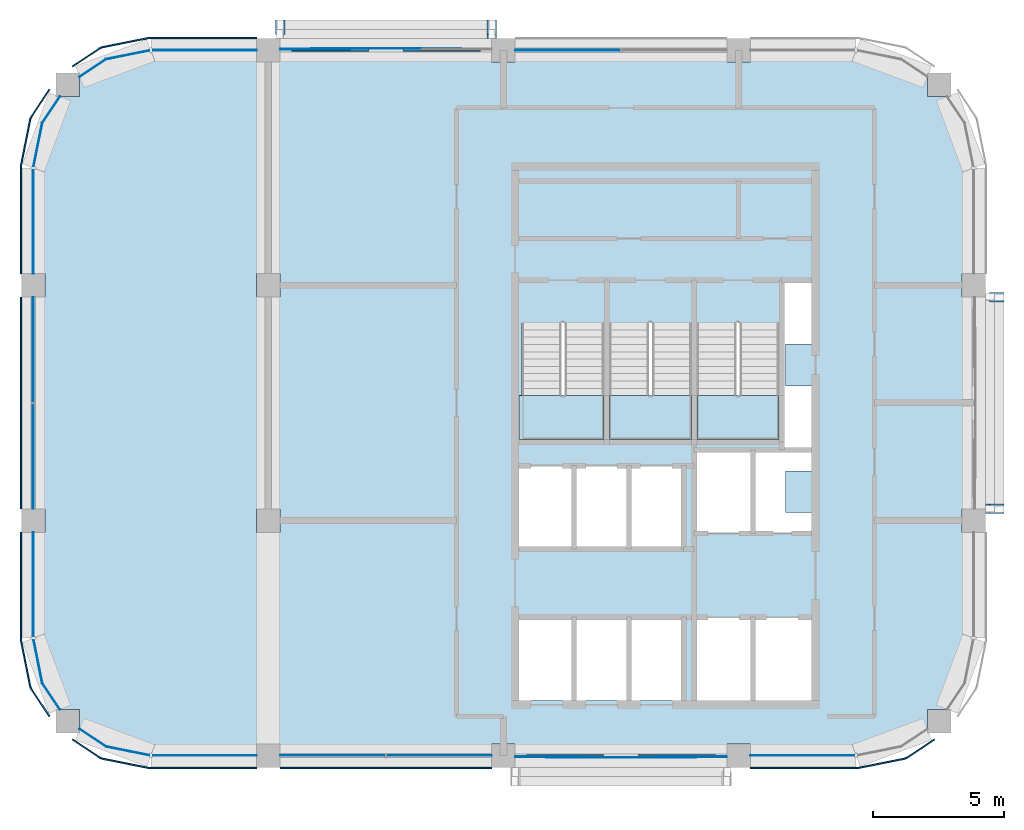
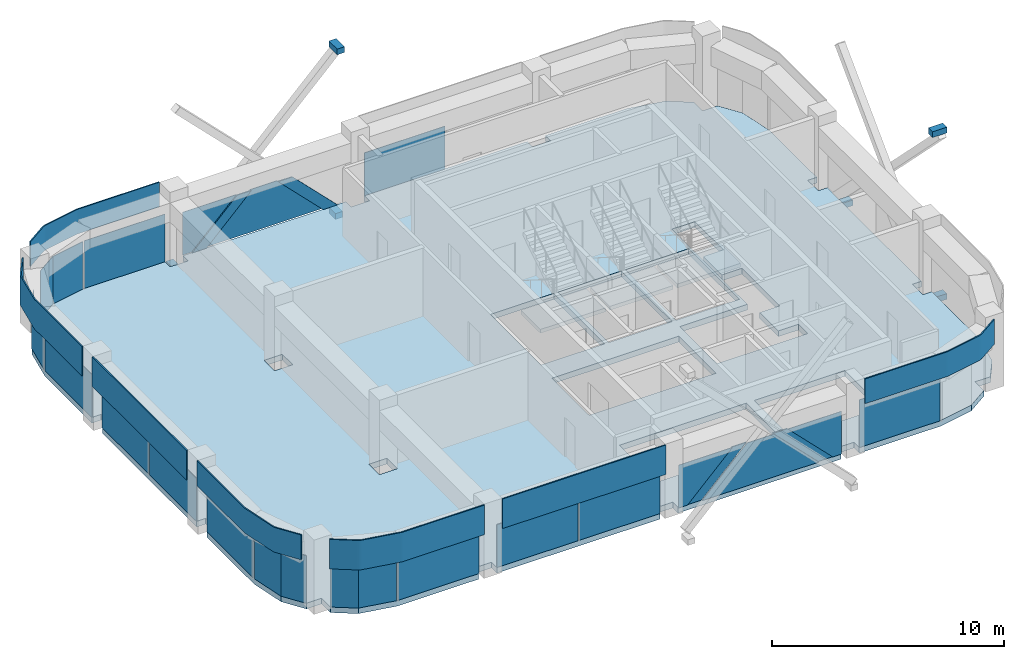
# One storey, part 5 of 9: 30 plates, 6 members, 4 slabs, 13 elements without a shape of their own.
"""IFC4 building model written with IfcOpenShell, lengths in metres."""

from ifc_helpers import new_model, si_unit, direction, frame, origin, origin_2d, place, context, subcontext, project, spatial, polyline, rectangle, outline, extrude, material, layer, layer_set, type_object, element, aggregate, save


model = new_model("IFC4")

# Units and contexts
model_context = context("Model", 3, precision=1e-05, world=origin(), true_north=direction((0.0, 1.0)))
body_context = subcontext(model_context, "Body", "Model", "MODEL_VIEW")
ifc_project = project(units=[si_unit("LENGTHUNIT", "METRE"), si_unit("AREAUNIT", "SQUARE_METRE"), si_unit("VOLUMEUNIT", "CUBIC_METRE"), si_unit("PLANEANGLEUNIT", "RADIAN"), si_unit("MASSUNIT", "GRAM", prefix="KILO")], contexts=[model_context])

# Site, building, storey
site_placement = place(None, origin())
site = spatial("IfcSite", under=ifc_project, at=site_placement, CompositionType="ELEMENT")
building_placement = place(site_placement, origin())
building = spatial("IfcBuilding", under=site, at=building_placement, Name="Tessera Arch", CompositionType="ELEMENT")
storey_placement = place(building_placement, frame((0.0, 0.0, 316.800048828125)))
storey = spatial("IfcBuildingStorey", under=building, at=storey_placement, Name="L76", CompositionType="ELEMENT", Elevation=316.800048828125)

# Members
ifc_material_1 = material(Name="Steel A572 Gr50", Category="steel")
ifc_layer_1 = layer(ifc_material_1, 0.050048828125)
ifc_layer_set_1 = layer_set([ifc_layer_1], Name="Node block Steel A572 Gr50")
member_type = type_object("IfcMemberType", Name="Node block Steel A572 Gr50", PredefinedType="PLATE", material=ifc_layer_set_1)
for number, where, z_axis, x_axis, name in (
    (1, (54.880615234375, 44.550048828125, -1.2431640625), (0.0, 0.0, 1.0), (0.0, 1.0, 0.0), "Node block seat E54.27-0 1 L76"),
    (2, (54.880615234375, 36.449951171875, -1.2431640625), (0.0, 0.0, 1.0), (0.0, 1.0, 0.0), "Node block seat E54.27-0 2 L76"),
):
    element("IfcMember", number, at=place(storey_placement, frame(where, z_axis=z_axis, x_axis=x_axis)), inside=storey, type_object=member_type, Name=name, PredefinedType="PLATE", context=body_context, shape_type="SweptSolid", body=[
        extrude(rectangle(XDim=0.355712890625, YDim=0.561279296875, at=origin_2d()), origin(), (0.0, 0.0, 1.0), 0.300048828125),
    ])
member_1_placement = place(storey_placement, frame((54.8056640625, 36.449951171875, 7.4931640625), z_axis=(0.0, 0.0, 1.0), x_axis=(0.0, 1.0, 0.0)))
element("IfcMember", 3, at=member_1_placement, inside=storey, type_object=member_type, Name="Node block head E54.27-0 B L76", PredefinedType="PLATE", context=body_context, shape_type="SweptSolid", body=[
    extrude(rectangle(XDim=0.355712890625, YDim=0.711181640625, at=origin_2d()), origin(), (0.0, 0.0, 1.0), 0.300048828125),
])
for number, where, z_axis, x_axis, name in (
    (4, (27.449951171875, 54.880615234375, -1.2431640625), (0.0, 0.0, 1.0), (-1.0, 0.0, 0.0), "Node block seat N54.18-2 1 L76"),
    (5, (35.550048828125, 54.880615234375, -1.2431640625), (0.0, 0.0, 1.0), (-1.0, 0.0, 0.0), "Node block seat N54.18-2 2 L76"),
):
    element("IfcMember", number, at=place(storey_placement, frame(where, z_axis=z_axis, x_axis=x_axis)), inside=storey, type_object=member_type, Name=name, PredefinedType="PLATE", context=body_context, shape_type="SweptSolid", body=[
        extrude(rectangle(XDim=0.355712890625, YDim=0.561279296875, at=origin_2d()), origin(), (0.0, 0.0, 1.0), 0.300048828125),
    ])
member_2_placement = place(storey_placement, frame((35.550048828125, 54.8056640625, 7.4931640625), z_axis=(0.0, 0.0, 1.0), x_axis=(-1.0, 0.0, 0.0)))
element("IfcMember", 6, at=member_2_placement, inside=storey, type_object=member_type, Name="Node block head N54.18-2 B L76", PredefinedType="PLATE", context=body_context, shape_type="SweptSolid", body=[
    extrude(rectangle(XDim=0.355712890625, YDim=0.711181640625, at=origin_2d()), origin(), (0.0, 0.0, 1.0), 0.300048828125),
])

# Curtain wall, plate
ifc_material_2 = material(Name="CW1 curtain wall")
curtain_wall_type_1 = type_object("IfcCurtainWallType", Name="CW1 curtain wall", PredefinedType="NOTDEFINED", material=ifc_material_2)
curtain_wall_1_placement = place(storey_placement, origin())
curtain_wall_1 = element("IfcCurtainWall", 7, at=curtain_wall_1_placement, inside=storey, type_object=curtain_wall_type_1, Name="CW1 curtain wall N54.18/1 L76", PredefinedType="NOTDEFINED")
ifc_material_3 = material(Name="Clear low-e glass", Category="glass")
ifc_material_4 = material(Name="Clear low-e glass", Category="glass")
ifc_layer_2 = layer(ifc_material_4, 0.028076171875)
ifc_layer_set_2 = layer_set([ifc_layer_2], Name="CW1 glass panel")
plate_type_1 = type_object("IfcPlateType", Name="CW1 glass panel", PredefinedType="CURTAIN_PANEL", material=ifc_layer_set_2)
plate_1_placement = place(storey_placement, frame((38.4599609375, 54.0, 0.0), z_axis=(0.0, 0.0, 1.0), x_axis=(-1.0, 0.0, 0.0)))
plate_1 = element("IfcPlate", 8, at=plate_1_placement, type_object=plate_type_1, material=ifc_material_3, Name="CW1 glass panel N54.18/1 1.2.1", PredefinedType="CURTAIN_PANEL", context=body_context, shape_type="SweptSolid", body=[
    extrude(rectangle(XDim=4.02001953125, YDim=0.028076171875, at=origin_2d()), origin(), (0.0, 0.0, 1.0), 2.25),
])
aggregate(curtain_wall_1, [plate_1])

# Curtain wall, plates
curtain_wall_2_placement = place(storey_placement, origin())
curtain_wall_2 = element("IfcCurtainWall", 9, at=curtain_wall_2_placement, inside=storey, type_object=curtain_wall_type_1, Name="CW1 curtain wall W18.27/1 L76", PredefinedType="NOTDEFINED")
plate_2_placement = place(storey_placement, frame((18.0, 42.5400390625, 0.0), z_axis=(0.0, 0.0, 1.0), x_axis=(0.0, -1.0, 0.0)))
plate_2 = element("IfcPlate", 10, at=plate_2_placement, type_object=plate_type_1, material=ifc_material_3, Name="CW1 glass panel W18.27/1 1.1.1", PredefinedType="CURTAIN_PANEL", context=body_context, shape_type="SweptSolid", body=[
    extrude(rectangle(XDim=4.02001953125, YDim=0.028076171875, at=origin_2d()), origin(), (0.0, 0.0, 1.0), 2.25),
])
plate_3_placement = place(storey_placement, frame((18.0, 38.4599609375, 0.0), z_axis=(0.0, 0.0, 1.0), x_axis=(0.0, -1.0, 0.0)))
plate_3 = element("IfcPlate", 11, at=plate_3_placement, type_object=plate_type_1, material=ifc_material_3, Name="CW1 glass panel W18.27/1 1.2.1", PredefinedType="CURTAIN_PANEL", context=body_context, shape_type="SweptSolid", body=[
    extrude(rectangle(XDim=4.02001953125, YDim=0.028076171875, at=origin_2d()), origin(), (0.0, 0.0, 1.0), 2.25),
])

curtain_wall_3_placement = place(storey_placement, origin())
curtain_wall_3 = element("IfcCurtainWall", 12, at=curtain_wall_3_placement, inside=storey, type_object=curtain_wall_type_1, Name="CW1 curtain wall S27.18/1 L76", PredefinedType="NOTDEFINED")
plate_4_placement = place(storey_placement, frame((29.4599609375, 27.0, 0.0), z_axis=(0.0, 0.0, 1.0), x_axis=(1.0, 0.0, 0.0)))
plate_4 = element("IfcPlate", 13, at=plate_4_placement, type_object=plate_type_1, material=ifc_material_3, Name="CW1 glass panel S27.18/1 1.1.1", PredefinedType="CURTAIN_PANEL", context=body_context, shape_type="SweptSolid", body=[
    extrude(rectangle(XDim=4.02001953125, YDim=0.028076171875, at=origin_2d()), origin(), (0.0, 0.0, 1.0), 2.25),
])
plate_5_placement = place(storey_placement, frame((33.5400390625, 27.0, 0.0), z_axis=(0.0, 0.0, 1.0), x_axis=(1.0, 0.0, 0.0)))
plate_5 = element("IfcPlate", 14, at=plate_5_placement, type_object=plate_type_1, material=ifc_material_3, Name="CW1 glass panel S27.18/1 1.2.1", PredefinedType="CURTAIN_PANEL", context=body_context, shape_type="SweptSolid", body=[
    extrude(rectangle(XDim=4.02001953125, YDim=0.028076171875, at=origin_2d()), origin(), (0.0, 0.0, 1.0), 2.25),
])

# Plate
ifc_material_5 = material(Name="Pale anodised aluminium panel", Category="aluminium")
ifc_layer_3 = layer(ifc_material_5, 0.06005859375)
ifc_layer_set_3 = layer_set([ifc_layer_3], Name="CW1 spandrel panel")
plate_type_2 = type_object("IfcPlateType", Name="CW1 spandrel panel", PredefinedType="CURTAIN_PANEL", material=ifc_layer_set_3)
plate_6_placement = place(storey_placement, frame((17.52001953125, 40.5, 2.35009765625), z_axis=(0.0, 0.0, 1.0), x_axis=(0.0, -1.0, 0.0)))
plate_6 = element("IfcPlate", 15, at=plate_6_placement, type_object=plate_type_2, Name="CW1 spandrel panel W18.27/1", PredefinedType="CURTAIN_PANEL", context=body_context, shape_type="SweptSolid", body=[
    extrude(rectangle(XDim=8.10009765625, YDim=0.06005859375, at=origin_2d()), origin(), (0.0, 0.0, 1.0), 1.550048828125),
])

aggregate(curtain_wall_2, [plate_2, plate_3, plate_6])

plate_7_placement = place(storey_placement, frame((31.5, 26.52001953125, 2.35009765625), z_axis=(0.0, 0.0, 1.0), x_axis=(1.0, 0.0, 0.0)))
plate_7 = element("IfcPlate", 16, at=plate_7_placement, type_object=plate_type_2, Name="CW1 spandrel panel S27.18/1", PredefinedType="CURTAIN_PANEL", context=body_context, shape_type="SweptSolid", body=[
    extrude(rectangle(XDim=8.10009765625, YDim=0.06005859375, at=origin_2d()), origin(), (0.0, 0.0, 1.0), 1.550048828125),
])

aggregate(curtain_wall_3, [plate_4, plate_5, plate_7])

# Curtain wall, plates
ifc_material_6 = material(Name="CW2 curtain wall")
curtain_wall_type_2 = type_object("IfcCurtainWallType", Name="CW2 curtain wall", PredefinedType="NOTDEFINED", material=ifc_material_6)
curtain_wall_4_placement = place(storey_placement, origin())
curtain_wall_4 = element("IfcCurtainWall", 17, at=curtain_wall_4_placement, inside=storey, type_object=curtain_wall_type_2, Name="CW2 curtain wall N54.18/3 L76", PredefinedType="NOTDEFINED")
ifc_material_7 = material(Name="Clear low-e glass", Category="glass")
ifc_layer_4 = layer(ifc_material_7, 0.028076171875)
ifc_layer_set_4 = layer_set([ifc_layer_4], Name="CW2 glass panel")
plate_type_3 = type_object("IfcPlateType", Name="CW2 glass panel", PredefinedType="CURTAIN_PANEL", material=ifc_layer_set_4)
plate_8_placement = place(storey_placement, frame((24.544921875, 54.0, 0.0), z_axis=(0.0, 0.0, 1.0), x_axis=(-1.0, 0.0, 0.0)))
plate_8 = element("IfcPlate", 18, at=plate_8_placement, type_object=plate_type_3, material=ifc_material_3, Name="CW2 glass panel N54.18/3 1.1", PredefinedType="CURTAIN_PANEL", context=body_context, shape_type="SweptSolid", body=[
    extrude(rectangle(XDim=4.010009765625, YDim=0.028076171875, at=origin_2d()), origin(), (0.0, 0.0, 1.0), 2.5),
])
plate_9_placement = place(storey_placement, origin())
plate_9 = element("IfcPlate", 19, at=plate_9_placement, type_object=plate_type_3, material=ifc_material_3, Name="CW2 curved glass panel N54.18/3 2.1", PredefinedType="CURTAIN_PANEL", context=body_context, shape_type="SweptSolid", body=[
    extrude(outline(polyline([(20.783447265625, 53.644287109375), (22.46337890625, 53.978515625), (22.4580078125, 54.005859375), (20.7724609375, 53.670654296875), (19.76025390625, 52.994384765625), (19.77587890625, 52.970947265625), (20.783447265625, 53.644287109375)])), origin(), (0.0, 0.0, 1.0), 2.5),
])

curtain_wall_5_placement = place(storey_placement, origin())
curtain_wall_5 = element("IfcCurtainWall", 20, at=curtain_wall_5_placement, inside=storey, type_object=curtain_wall_type_2, Name="CW2 curtain wall W18.27/0 L76", PredefinedType="NOTDEFINED")
plate_10_placement = place(storey_placement, frame((18.0, 47.455078125, 0.0), z_axis=(0.0, 0.0, 1.0), x_axis=(0.0, -1.0, 0.0)))
plate_10 = element("IfcPlate", 21, at=plate_10_placement, type_object=plate_type_3, material=ifc_material_3, Name="CW2 glass panel W18.27/0 1.1", PredefinedType="CURTAIN_PANEL", context=body_context, shape_type="SweptSolid", body=[
    extrude(rectangle(XDim=4.010009765625, YDim=0.028076171875, at=origin_2d()), origin(), (0.0, 0.0, 1.0), 2.25),
])
plate_11_placement = place(storey_placement, origin())
plate_11 = element("IfcPlate", 22, at=plate_11_placement, type_object=plate_type_3, material=ifc_material_3, Name="CW2 curved glass panel W18.27/0 2.1", PredefinedType="CURTAIN_PANEL", context=body_context, shape_type="SweptSolid", body=[
    extrude(outline(polyline([(18.355712890625, 51.216552734375), (19.029052734375, 52.22412109375), (19.005615234375, 52.23974609375), (18.329345703125, 51.2275390625), (17.994140625, 49.5419921875), (18.021484375, 49.53662109375), (18.355712890625, 51.216552734375)])), origin(), (0.0, 0.0, 1.0), 2.25),
])

curtain_wall_6_placement = place(storey_placement, origin())
curtain_wall_6 = element("IfcCurtainWall", 23, at=curtain_wall_6_placement, inside=storey, type_object=curtain_wall_type_2, Name="CW2 curtain wall W18.27/2 L76", PredefinedType="NOTDEFINED")
plate_12_placement = place(storey_placement, frame((18.0, 33.544921875, 0.0), z_axis=(0.0, 0.0, 1.0), x_axis=(0.0, -1.0, 0.0)))
plate_12 = element("IfcPlate", 24, at=plate_12_placement, type_object=plate_type_3, material=ifc_material_3, Name="CW2 glass panel W18.27/2 1.1", PredefinedType="CURTAIN_PANEL", context=body_context, shape_type="SweptSolid", body=[
    extrude(rectangle(XDim=4.010009765625, YDim=0.028076171875, at=origin_2d()), origin(), (0.0, 0.0, 1.0), 2.5),
])
plate_13_placement = place(storey_placement, origin())
plate_13 = element("IfcPlate", 25, at=plate_13_placement, type_object=plate_type_3, material=ifc_material_3, Name="CW2 curved glass panel W18.27/2 2.1", PredefinedType="CURTAIN_PANEL", context=body_context, shape_type="SweptSolid", body=[
    extrude(outline(polyline([(18.355712890625, 29.783447265625), (18.021484375, 31.46337890625), (17.994140625, 31.4580078125), (18.329345703125, 29.7724609375), (19.005615234375, 28.76025390625), (19.029052734375, 28.77587890625), (18.355712890625, 29.783447265625)])), origin(), (0.0, 0.0, 1.0), 2.5),
])

curtain_wall_7_placement = place(storey_placement, origin())
curtain_wall_7 = element("IfcCurtainWall", 26, at=curtain_wall_7_placement, inside=storey, type_object=curtain_wall_type_2, Name="CW2 curtain wall S27.18/0 L76", PredefinedType="NOTDEFINED")
plate_14_placement = place(storey_placement, frame((24.544921875, 27.0, 0.0), z_axis=(0.0, 0.0, 1.0), x_axis=(1.0, 0.0, 0.0)))
plate_14 = element("IfcPlate", 27, at=plate_14_placement, type_object=plate_type_3, material=ifc_material_3, Name="CW2 glass panel S27.18/0 1.1", PredefinedType="CURTAIN_PANEL", context=body_context, shape_type="SweptSolid", body=[
    extrude(rectangle(XDim=4.010009765625, YDim=0.028076171875, at=origin_2d()), origin(), (0.0, 0.0, 1.0), 2.25),
])
plate_15_placement = place(storey_placement, origin())
plate_15 = element("IfcPlate", 28, at=plate_15_placement, type_object=plate_type_3, material=ifc_material_3, Name="CW2 curved glass panel S27.18/0 2.1", PredefinedType="CURTAIN_PANEL", context=body_context, shape_type="SweptSolid", body=[
    extrude(outline(polyline([(20.783447265625, 27.355712890625), (19.77587890625, 28.029052734375), (19.76025390625, 28.005615234375), (20.7724609375, 27.329345703125), (22.4580078125, 26.994140625), (22.46337890625, 27.021484375), (20.783447265625, 27.355712890625)])), origin(), (0.0, 0.0, 1.0), 2.25),
])

# Curtain wall, plate
curtain_wall_8_placement = place(storey_placement, origin())
curtain_wall_8 = element("IfcCurtainWall", 29, at=curtain_wall_8_placement, inside=storey, type_object=curtain_wall_type_2, Name="CW2 curtain wall S27.18/3 L76", PredefinedType="NOTDEFINED")
plate_16_placement = place(storey_placement, frame((47.455078125, 27.0, 0.0), z_axis=(0.0, 0.0, 1.0), x_axis=(1.0, 0.0, 0.0)))
plate_16 = element("IfcPlate", 30, at=plate_16_placement, type_object=plate_type_3, material=ifc_material_3, Name="CW2 glass panel S27.18/3 1.1", PredefinedType="CURTAIN_PANEL", context=body_context, shape_type="SweptSolid", body=[
    extrude(rectangle(XDim=4.010009765625, YDim=0.028076171875, at=origin_2d()), origin(), (0.0, 0.0, 1.0), 2.5),
])

# Plate
ifc_material_8 = material(Name="Pale anodised aluminium panel", Category="aluminium")
ifc_layer_5 = layer(ifc_material_8, 0.06005859375)
ifc_layer_set_5 = layer_set([ifc_layer_5], Name="CW2 spandrel panel")
plate_type_4 = type_object("IfcPlateType", Name="CW2 spandrel panel", PredefinedType="CURTAIN_PANEL", material=ifc_layer_set_5)
plate_17_placement = place(storey_placement, frame((0.0, 0.0, 2.599853515625)))
plate_17 = element("IfcPlate", 31, at=plate_17_placement, type_object=plate_type_4, Name="CW2 spandrel panel N54.18/3", PredefinedType="CURTAIN_PANEL", context=body_context, shape_type="SweptSolid", body=[
    extrude(outline(polyline([(22.500732421875, 54.449951171875), (26.550048828125, 54.449951171875), (26.550048828125, 54.510009765625), (22.499267578125, 54.510009765625), (22.449951171875, 54.507568359375), (22.401123046875, 54.500244140625), (20.677734375, 54.157470703125), (20.6298828125, 54.1455078125), (20.582763671875, 54.128662109375), (20.537353515625, 54.107421875), (20.4951171875, 54.08203125), (19.484619140625, 53.40673828125), (19.51806640625, 53.35693359375), (20.52734375, 54.03125), (20.565673828125, 54.054443359375), (20.605712890625, 54.0732421875), (20.647216796875, 54.088134765625), (20.69091796875, 54.09912109375), (22.411376953125, 54.441162109375), (22.455810546875, 54.44775390625), (22.500732421875, 54.449951171875)])), origin(), (0.0, 0.0, 1.0), 1.300048828125),
])

aggregate(curtain_wall_4, [plate_8, plate_9, plate_17])

plate_18_placement = place(storey_placement, frame((0.0, 0.0, 2.349853515625)))
plate_18 = element("IfcPlate", 32, at=plate_18_placement, type_object=plate_type_4, Name="CW2 spandrel panel W18.27/0", PredefinedType="CURTAIN_PANEL", context=body_context, shape_type="SweptSolid", body=[
    extrude(outline(polyline([(17.96875, 51.47265625), (18.64306640625, 52.48193359375), (18.59326171875, 52.515380859375), (17.91796875, 51.5048828125), (17.892578125, 51.462646484375), (17.871337890625, 51.417236328125), (17.8544921875, 51.3701171875), (17.842529296875, 51.322265625), (17.499755859375, 49.598876953125), (17.492431640625, 49.550048828125), (17.489990234375, 49.500732421875), (17.489990234375, 45.449951171875), (17.550048828125, 45.449951171875), (17.550048828125, 49.499267578125), (17.55224609375, 49.544189453125), (17.558837890625, 49.588623046875), (17.90087890625, 51.30908203125), (17.911865234375, 51.352783203125), (17.9267578125, 51.394287109375), (17.945556640625, 51.434326171875), (17.96875, 51.47265625)])), origin(), (0.0, 0.0, 1.0), 1.550048828125),
])

aggregate(curtain_wall_5, [plate_10, plate_11, plate_18])

plate_19_placement = place(storey_placement, frame((0.0, 0.0, 2.599853515625)))
plate_19 = element("IfcPlate", 33, at=plate_19_placement, type_object=plate_type_4, Name="CW2 spandrel panel W18.27/2", PredefinedType="CURTAIN_PANEL", context=body_context, shape_type="SweptSolid", body=[
    extrude(outline(polyline([(17.550048828125, 31.500732421875), (17.550048828125, 35.550048828125), (17.489990234375, 35.550048828125), (17.489990234375, 31.499267578125), (17.492431640625, 31.449951171875), (17.499755859375, 31.401123046875), (17.842529296875, 29.677734375), (17.8544921875, 29.6298828125), (17.871337890625, 29.582763671875), (17.892578125, 29.537353515625), (17.91796875, 29.4951171875), (18.59326171875, 28.484619140625), (18.64306640625, 28.51806640625), (17.96875, 29.52734375), (17.945556640625, 29.565673828125), (17.9267578125, 29.605712890625), (17.911865234375, 29.647216796875), (17.90087890625, 29.69091796875), (17.558837890625, 31.411376953125), (17.55224609375, 31.455810546875), (17.550048828125, 31.500732421875)])), origin(), (0.0, 0.0, 1.0), 1.300048828125),
])

aggregate(curtain_wall_6, [plate_12, plate_13, plate_19])

plate_20_placement = place(storey_placement, frame((0.0, 0.0, 2.349853515625)))
plate_20 = element("IfcPlate", 34, at=plate_20_placement, type_object=plate_type_4, Name="CW2 spandrel panel S27.18/0", PredefinedType="CURTAIN_PANEL", context=body_context, shape_type="SweptSolid", body=[
    extrude(outline(polyline([(20.52734375, 26.96875), (19.51806640625, 27.64306640625), (19.484619140625, 27.59326171875), (20.4951171875, 26.91796875), (20.537353515625, 26.892578125), (20.582763671875, 26.871337890625), (20.6298828125, 26.8544921875), (20.677734375, 26.842529296875), (22.401123046875, 26.499755859375), (22.449951171875, 26.492431640625), (22.499267578125, 26.489990234375), (26.550048828125, 26.489990234375), (26.550048828125, 26.550048828125), (22.500732421875, 26.550048828125), (22.455810546875, 26.55224609375), (22.411376953125, 26.558837890625), (20.69091796875, 26.90087890625), (20.647216796875, 26.911865234375), (20.605712890625, 26.9267578125), (20.565673828125, 26.945556640625), (20.52734375, 26.96875)])), origin(), (0.0, 0.0, 1.0), 1.550048828125),
])

aggregate(curtain_wall_7, [plate_14, plate_15, plate_20])

plate_21_placement = place(storey_placement, frame((0.0, 0.0, 2.599853515625)))
plate_21 = element("IfcPlate", 35, at=plate_21_placement, type_object=plate_type_4, Name="CW2 spandrel panel S27.18/3", PredefinedType="CURTAIN_PANEL", context=body_context, shape_type="SweptSolid", body=[
    extrude(outline(polyline([(49.499267578125, 26.550048828125), (45.449951171875, 26.550048828125), (45.449951171875, 26.489990234375), (49.500732421875, 26.489990234375), (49.550048828125, 26.492431640625), (49.598876953125, 26.499755859375), (51.322265625, 26.842529296875), (51.3701171875, 26.8544921875), (51.417236328125, 26.871337890625), (51.462646484375, 26.892578125), (51.5048828125, 26.91796875), (52.515380859375, 27.59326171875), (52.48193359375, 27.64306640625), (51.47265625, 26.96875), (51.434326171875, 26.945556640625), (51.394287109375, 26.9267578125), (51.352783203125, 26.911865234375), (51.30908203125, 26.90087890625), (49.588623046875, 26.558837890625), (49.544189453125, 26.55224609375), (49.499267578125, 26.550048828125)])), origin(), (0.0, 0.0, 1.0), 1.300048828125),
])

aggregate(curtain_wall_8, [plate_16, plate_21])

# Curtain wall, plates
ifc_material_9 = material(Name="CW3 curtain wall")
curtain_wall_type_3 = type_object("IfcCurtainWallType", Name="CW3 curtain wall", PredefinedType="NOTDEFINED", material=ifc_material_9)
curtain_wall_9_placement = place(storey_placement, origin())
curtain_wall_9 = element("IfcCurtainWall", 36, at=curtain_wall_9_placement, inside=storey, type_object=curtain_wall_type_3, Name="CW3 curtain wall N54.18/2 L76", PredefinedType="NOTDEFINED")
ifc_material_10 = material(Name="Pale anodised aluminium panel", Category="aluminium")
ifc_layer_6 = layer(ifc_material_10, 0.06005859375)
ifc_layer_set_6 = layer_set([ifc_layer_6], Name="CW3 diagonal panel")
plate_type_5 = type_object("IfcPlateType", Name="CW3 diagonal panel", PredefinedType="CURTAIN_PANEL", material=ifc_layer_set_6)
plate_22_placement = place(storey_placement, frame((30.125244140625, 54.030029296875, 2.25), z_axis=(0.0, 1.0, 0.0), x_axis=(1.0, 0.0, 0.0)))
plate_22 = element("IfcPlate", 37, at=plate_22_placement, type_object=plate_type_5, Name="CW3 diagonal panel N54.18/2 1", PredefinedType="CURTAIN_PANEL", context=body_context, shape_type="SweptSolid", body=[
    extrude(outline(polyline([(0.0, 0.0), (0.7119140625, 0.0), (-1.524169921875, 2.25), (-2.236083984375, 2.25), (0.0, 0.0)])), origin(), (0.0, 0.0, -1.0), 0.06005859375),
])
plate_23_placement = place(storey_placement, frame((32.162841796875, 54.030029296875, 2.25), z_axis=(0.0, 1.0, 0.0), x_axis=(1.0, 0.0, 0.0)))
plate_23 = element("IfcPlate", 38, at=plate_23_placement, type_object=plate_type_5, Name="CW3 diagonal panel N54.18/2 2", PredefinedType="CURTAIN_PANEL", context=body_context, shape_type="SweptSolid", body=[
    extrude(outline(polyline([(0.0, 0.0), (0.7119140625, 0.0), (2.947998046875, 2.25), (2.236083984375, 2.25), (0.0, 0.0)])), origin(), (0.0, 0.0, -1.0), 0.06005859375),
])

curtain_wall_10_placement = place(storey_placement, origin())
curtain_wall_10 = element("IfcCurtainWall", 39, at=curtain_wall_10_placement, inside=storey, type_object=curtain_wall_type_3, Name="CW3 curtain wall S27.18/2 L76", PredefinedType="NOTDEFINED")
plate_24_placement = place(storey_placement, frame((41.874755859375, 26.969970703125, 2.25), z_axis=(0.0, -1.0, 0.0), x_axis=(-1.0, 0.0, 0.0)))
plate_24 = element("IfcPlate", 40, at=plate_24_placement, type_object=plate_type_5, Name="CW3 diagonal panel S27.18/2 1", PredefinedType="CURTAIN_PANEL", context=body_context, shape_type="SweptSolid", body=[
    extrude(outline(polyline([(0.0, 0.0), (0.7119140625, 0.0), (-1.524169921875, 2.25), (-2.236083984375, 2.25), (0.0, 0.0)])), origin(), (0.0, 0.0, -1.0), 0.06005859375),
])
plate_25_placement = place(storey_placement, frame((39.837158203125, 26.969970703125, 2.25), z_axis=(0.0, -1.0, 0.0), x_axis=(-1.0, 0.0, 0.0)))
plate_25 = element("IfcPlate", 41, at=plate_25_placement, type_object=plate_type_5, Name="CW3 diagonal panel S27.18/2 2", PredefinedType="CURTAIN_PANEL", context=body_context, shape_type="SweptSolid", body=[
    extrude(outline(polyline([(0.0, 0.0), (0.7119140625, 0.0), (2.947998046875, 2.25), (2.236083984375, 2.25), (0.0, 0.0)])), origin(), (0.0, 0.0, -1.0), 0.06005859375),
])

# Plate
ifc_material_11 = material(Name="Clear low-e glass", Category="glass")
ifc_layer_7 = layer(ifc_material_11, 0.028076171875)
ifc_layer_set_7 = layer_set([ifc_layer_7], Name="CW3 glass panel")
plate_type_6 = type_object("IfcPlateType", Name="CW3 glass panel", PredefinedType="CURTAIN_PANEL", material=ifc_layer_set_7)
plate_26_placement = place(storey_placement, frame((30.837158203125, 54.0859375, 2.25), z_axis=(0.0, 1.0, 0.0), x_axis=(1.0, 0.0, 0.0)))
plate_26 = element("IfcPlate", 42, at=plate_26_placement, type_object=plate_type_6, material=ifc_material_3, Name="CW3 triangulated glass panel N54.18/2 2", PredefinedType="CURTAIN_PANEL", context=body_context, shape_type="SweptSolid", body=[
    extrude(outline(polyline([(0.0, 0.0), (1.32568359375, 0.0), (3.561767578125, 2.25), (-2.236083984375, 2.25), (0.0, 0.0)])), origin(), (0.0, 0.0, -1.0), 0.028076171875),
])

plate_27_placement = place(storey_placement, frame((27.449951171875, 54.05810546875, 2.25), z_axis=(0.0, 1.0, 0.0), x_axis=(1.0, 0.0, 0.0)))
plate_27 = element("IfcPlate", 43, at=plate_27_placement, type_object=plate_type_6, material=ifc_material_3, Name="CW3 triangulated glass panel N54.18/2 3", PredefinedType="CURTAIN_PANEL", context=body_context, shape_type="SweptSolid", body=[
    extrude(outline(polyline([(0.0, 0.0), (2.67529296875, 0.0), (0.439208984375, 2.25), (0.0, 2.25), (0.0, 0.0)])), origin(), (0.0, 0.0, -1.0), 0.028076171875),
])

aggregate(curtain_wall_9, [plate_26, plate_27, plate_22, plate_23])

plate_28_placement = place(storey_placement, frame((36.449951171875, 26.94189453125, 0.0), z_axis=(0.0, -1.0, 0.0), x_axis=(1.0, 0.0, 0.0)))
plate_28 = element("IfcPlate", 44, at=plate_28_placement, type_object=plate_type_6, material=ifc_material_3, Name="CW3 triangulated glass panel S27.18/2 1", PredefinedType="CURTAIN_PANEL", context=body_context, shape_type="SweptSolid", body=[
    extrude(outline(polyline([(0.0, 0.0), (0.439208984375, 0.0), (2.67529296875, 2.25), (0.0, 2.25), (0.0, 0.0)])), origin(), (0.0, 0.0, -1.0), 0.028076171875),
])

plate_29_placement = place(storey_placement, frame((41.162841796875, 26.9140625, 2.25), z_axis=(0.0, -1.0, 0.0), x_axis=(-1.0, 0.0, 0.0)))
plate_29 = element("IfcPlate", 45, at=plate_29_placement, type_object=plate_type_6, material=ifc_material_3, Name="CW3 triangulated glass panel S27.18/2 2", PredefinedType="CURTAIN_PANEL", context=body_context, shape_type="SweptSolid", body=[
    extrude(outline(polyline([(0.0, 0.0), (1.32568359375, 0.0), (3.561767578125, 2.25), (-2.236083984375, 2.25), (0.0, 0.0)])), origin(), (0.0, 0.0, -1.0), 0.028076171875),
])

plate_30_placement = place(storey_placement, frame((44.550048828125, 26.94189453125, 2.25), z_axis=(0.0, -1.0, 0.0), x_axis=(-1.0, 0.0, 0.0)))
plate_30 = element("IfcPlate", 46, at=plate_30_placement, type_object=plate_type_6, material=ifc_material_3, Name="CW3 triangulated glass panel S27.18/2 3", PredefinedType="CURTAIN_PANEL", context=body_context, shape_type="SweptSolid", body=[
    extrude(outline(polyline([(0.0, 0.0), (2.67529296875, 0.0), (0.439208984375, 2.25), (0.0, 2.25), (0.0, 0.0)])), origin(), (0.0, 0.0, -1.0), 0.028076171875),
])

aggregate(curtain_wall_10, [plate_28, plate_29, plate_30, plate_24, plate_25])

# Slab
ifc_material_12 = material(Name="Concrete C40/50", Category="concrete")
ifc_layer_8 = layer(ifc_material_12, 0.300048828125)
ifc_layer_set_8 = layer_set([ifc_layer_8], Name="Floor slab 300 Concrete C40/50")
slab_type_1 = type_object("IfcSlabType", Name="Floor slab 300 Concrete C40/50", PredefinedType="FLOOR", material=ifc_layer_set_8)
slab_1_placement = place(storey_placement, frame((0.0, 0.0, -0.300048828125)))
element("IfcSlab", 47, at=slab_1_placement, inside=storey, type_object=slab_type_1, Name="Floor slab L76 1", PredefinedType="FLOOR", context=body_context, shape_type="SweptSolid", body=[
    extrude(outline(polyline([(54.0, 31.5), (53.657470703125, 29.77783203125), (52.982666015625, 28.76806640625), (52.23193359375, 28.76806640625), (52.23193359375, 28.017333984375), (51.22216796875, 27.342529296875), (49.5, 27.0), (45.449951171875, 27.0), (45.449951171875, 27.449951171875), (44.550048828125, 27.449951171875), (44.550048828125, 27.0), (36.449951171875, 27.0), (36.449951171875, 27.449951171875), (35.550048828125, 27.449951171875), (35.550048828125, 27.0), (27.449951171875, 27.0), (27.449951171875, 27.449951171875), (26.550048828125, 27.449951171875), (26.550048828125, 27.0), (22.5, 27.0), (20.77783203125, 27.342529296875), (19.76806640625, 28.017333984375), (19.76806640625, 28.76806640625), (19.017333984375, 28.76806640625), (18.342529296875, 29.77783203125), (18.0, 31.5), (18.0, 35.550048828125), (18.449951171875, 35.550048828125), (18.449951171875, 36.449951171875), (18.0, 36.449951171875), (18.0, 44.550048828125), (18.449951171875, 44.550048828125), (18.449951171875, 45.449951171875), (18.0, 45.449951171875), (18.0, 49.5), (18.342529296875, 51.22216796875), (19.017333984375, 52.23193359375), (19.76806640625, 52.23193359375), (19.76806640625, 52.982666015625), (20.77783203125, 53.657470703125), (22.5, 54.0), (26.550048828125, 54.0), (26.550048828125, 53.550048828125), (27.449951171875, 53.550048828125), (27.449951171875, 54.0), (35.550048828125, 54.0), (35.550048828125, 53.550048828125), (36.449951171875, 53.550048828125), (36.449951171875, 54.0), (44.550048828125, 54.0), (44.550048828125, 53.550048828125), (45.449951171875, 53.550048828125), (45.449951171875, 54.0), (49.5, 54.0), (51.22216796875, 53.657470703125), (52.23193359375, 52.982666015625), (52.23193359375, 52.23193359375), (52.982666015625, 52.23193359375), (53.657470703125, 51.22216796875), (54.0, 49.5), (54.0, 45.449951171875), (53.550048828125, 45.449951171875), (53.550048828125, 44.550048828125), (54.0, 44.550048828125), (54.0, 36.449951171875), (53.550048828125, 36.449951171875), (53.550048828125, 35.550048828125), (54.0, 35.550048828125), (54.0, 31.5)]), holes=[polyline([(40.800048828125, 29.10009765625), (42.89990234375, 29.10009765625), (42.89990234375, 32.300048828125), (40.800048828125, 32.300048828125), (38.699951171875, 32.300048828125), (36.60009765625, 32.300048828125), (36.60009765625, 29.10009765625), (38.699951171875, 29.10009765625), (40.800048828125, 29.10009765625)]), polyline([(27.449951171875, 35.550048828125), (27.449951171875, 36.449951171875), (26.550048828125, 36.449951171875), (26.550048828125, 35.550048828125), (27.449951171875, 35.550048828125)]), polyline([(40.800048828125, 34.89990234375), (42.89990234375, 34.89990234375), (42.89990234375, 38.10009765625), (40.800048828125, 38.10009765625), (38.699951171875, 38.10009765625), (36.60009765625, 38.10009765625), (36.60009765625, 34.89990234375), (38.699951171875, 34.89990234375), (40.800048828125, 34.89990234375)]), polyline([(38.219970703125, 43.580078125), (38.219970703125, 43.570068359375), (36.699951171875, 43.570068359375), (36.699951171875, 39.199951171875), (39.85009765625, 39.199951171875), (39.85009765625, 43.570068359375), (38.330078125, 43.570068359375), (38.330078125, 43.580078125), (38.219970703125, 43.580078125)]), polyline([(27.449951171875, 44.550048828125), (27.449951171875, 45.449951171875), (26.550048828125, 45.449951171875), (26.550048828125, 44.550048828125), (27.449951171875, 44.550048828125)]), polyline([(47.800048828125, 32.300048828125), (45.550048828125, 32.300048828125), (43.300048828125, 32.300048828125), (43.300048828125, 29.10009765625), (45.550048828125, 29.10009765625), (47.800048828125, 29.10009765625), (47.800048828125, 32.300048828125)]), polyline([(46.64990234375, 38.699951171875), (45.550048828125, 38.699951171875), (43.300048828125, 38.699951171875), (43.300048828125, 35.5), (45.550048828125, 35.5), (47.800048828125, 35.5), (47.800048828125, 36.300048828125), (46.800048828125, 36.300048828125), (46.800048828125, 37.89990234375), (47.800048828125, 37.89990234375), (47.800048828125, 38.699951171875), (47.800048828125, 41.14990234375), (46.800048828125, 41.14990234375), (46.800048828125, 42.75), (47.800048828125, 42.75), (47.800048828125, 45.199951171875), (46.64990234375, 45.199951171875), (46.64990234375, 38.699951171875)]), polyline([(41.570068359375, 43.580078125), (41.570068359375, 43.570068359375), (40.050048828125, 43.570068359375), (40.050048828125, 39.199951171875), (43.199951171875, 39.199951171875), (43.199951171875, 43.570068359375), (41.679931640625, 43.570068359375), (41.679931640625, 43.580078125), (41.570068359375, 43.580078125)]), polyline([(44.919921875, 43.580078125), (44.919921875, 43.570068359375), (43.39990234375, 43.570068359375), (43.39990234375, 39.199951171875), (46.550048828125, 39.199951171875), (46.550048828125, 43.570068359375), (45.030029296875, 43.570068359375), (45.030029296875, 43.580078125), (44.919921875, 43.580078125)])]), origin(), (0.0, 0.0, 1.0), 0.300048828125),
])

# Stair, slab
ifc_material_13 = material(Name="Concrete C40/50", Category="concrete")
stair_type = type_object("IfcStairType", Name="Dogleg stair 1520", PredefinedType="HALF_TURN_STAIR", material=ifc_material_13)
stair_1_placement = place(storey_placement, origin())
stair_1 = element("IfcStair", 48, at=stair_1_placement, inside=storey, type_object=stair_type, Name="L76 S1a", PredefinedType="HALF_TURN_STAIR")
ifc_material_14 = material(Name="Concrete C40/50", Category="concrete")
ifc_layer_9 = layer(ifc_material_14, 0.300048828125)
ifc_layer_set_9 = layer_set([ifc_layer_9], Name="Stair landing 300")
slab_type_2 = type_object("IfcSlabType", Name="Stair landing 300", PredefinedType="LANDING", material=ifc_layer_set_9)
slab_2_placement = place(storey_placement, frame((0.0, 0.0, 1.75)))
slab_2 = element("IfcSlab", 49, at=slab_2_placement, type_object=slab_type_2, Name="S1a landing 1", PredefinedType="LANDING", context=body_context, shape_type="SweptSolid", body=[
    extrude(outline(polyline([(36.60009765625, 40.780029296875), (36.60009765625, 39.10009765625), (39.85009765625, 39.10009765625), (39.85009765625, 40.780029296875), (36.60009765625, 40.780029296875)])), origin(), (0.0, 0.0, 1.0), 0.199951171875),
])
aggregate(stair_1, [slab_2])

stair_2_placement = place(storey_placement, origin())
stair_2 = element("IfcStair", 50, at=stair_2_placement, inside=storey, type_object=stair_type, Name="L76 S1b", PredefinedType="HALF_TURN_STAIR")
slab_3_placement = place(storey_placement, frame((0.0, 0.0, 1.75)))
slab_3 = element("IfcSlab", 51, at=slab_3_placement, type_object=slab_type_2, Name="S1b landing 1", PredefinedType="LANDING", context=body_context, shape_type="SweptSolid", body=[
    extrude(outline(polyline([(40.050048828125, 40.780029296875), (40.050048828125, 39.10009765625), (43.199951171875, 39.10009765625), (43.199951171875, 40.780029296875), (40.050048828125, 40.780029296875)])), origin(), (0.0, 0.0, 1.0), 0.199951171875),
])
aggregate(stair_2, [slab_3])

stair_3_placement = place(storey_placement, origin())
stair_3 = element("IfcStair", 52, at=stair_3_placement, inside=storey, type_object=stair_type, Name="L76 S1c", PredefinedType="HALF_TURN_STAIR")
slab_4_placement = place(storey_placement, frame((0.0, 0.0, 1.75)))
slab_4 = element("IfcSlab", 53, at=slab_4_placement, type_object=slab_type_2, Name="S1c landing 1", PredefinedType="LANDING", context=body_context, shape_type="SweptSolid", body=[
    extrude(outline(polyline([(43.39990234375, 40.780029296875), (43.39990234375, 39.10009765625), (46.550048828125, 39.10009765625), (46.550048828125, 40.780029296875), (43.39990234375, 40.780029296875)])), origin(), (0.0, 0.0, 1.0), 0.199951171875),
])
aggregate(stair_3, [slab_4])

save(model, "model.ifc")
